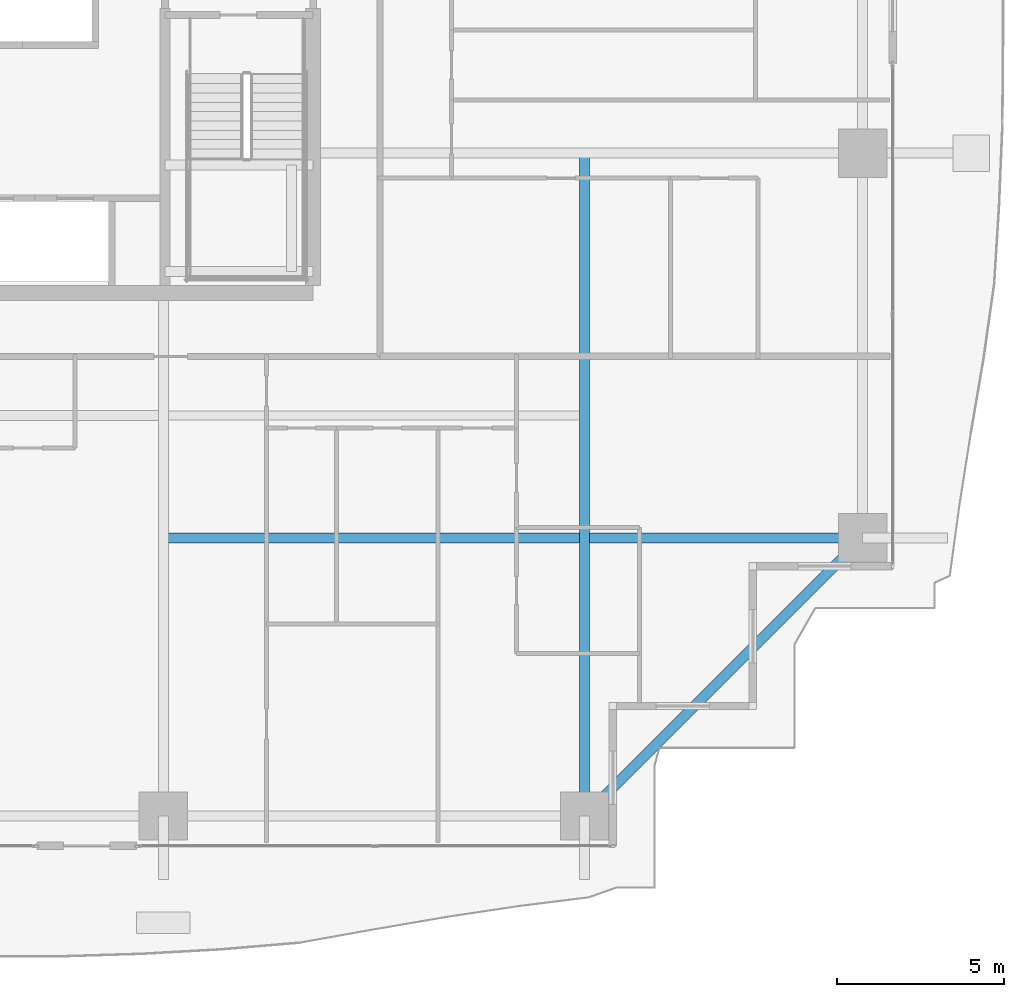
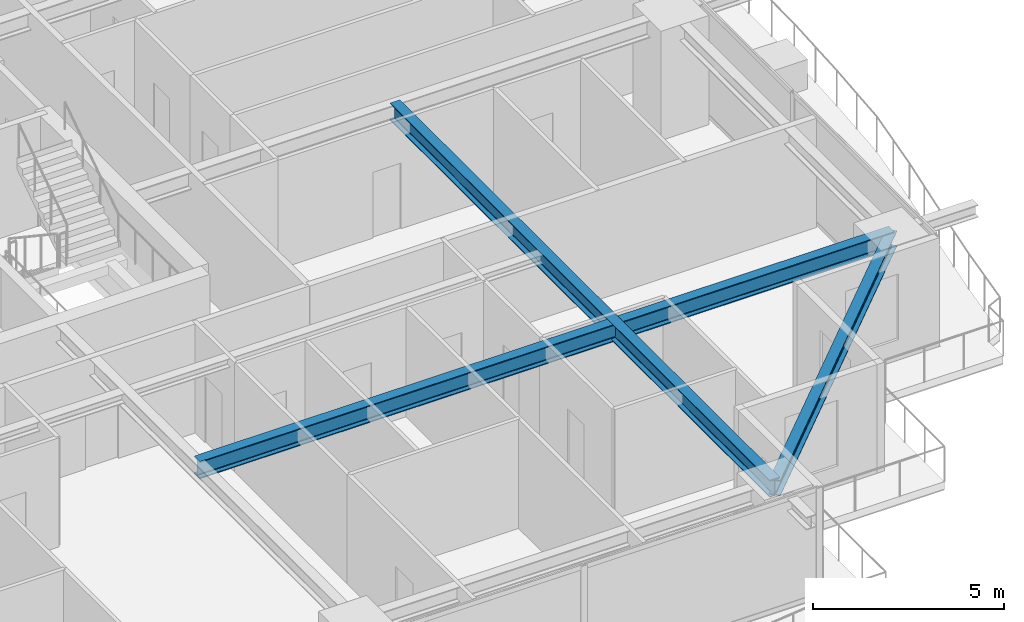
# One storey, part 12 of 39: 3 beams.
"""IFC4 building model written with IfcOpenShell, lengths in metres."""

from ifc_helpers import new_model, si_unit, direction, frame, origin, origin_2d, place, context, subcontext, project, spatial, i_section, extrude, source, transform, mapped, material, material_profile, profile_set, type_object, element, save


model = new_model("IFC4")

# Units and contexts
model_context = context("Model", 3, precision=1e-05, world=origin(), true_north=direction((0.0, 1.0)))
body_context = subcontext(model_context, "Body", "Model", "MODEL_VIEW")
ifc_project = project(units=[si_unit("LENGTHUNIT", "METRE"), si_unit("AREAUNIT", "SQUARE_METRE"), si_unit("VOLUMEUNIT", "CUBIC_METRE"), si_unit("PLANEANGLEUNIT", "RADIAN"), si_unit("MASSUNIT", "GRAM", prefix="KILO")], contexts=[model_context])

# Site, building, storey
site_placement = place(None, origin())
site = spatial("IfcSite", under=ifc_project, at=site_placement, CompositionType="ELEMENT")
building_placement = place(site_placement, origin())
building = spatial("IfcBuilding", under=site, at=building_placement, Name="Serunith Strait Residences", CompositionType="ELEMENT")
storey_placement = place(building_placement, frame((0.0, 0.0, 49.199951171875)))
storey = spatial("IfcBuildingStorey", under=building, at=storey_placement, Name="L11", CompositionType="ELEMENT", Elevation=49.199951171875)

# Beams
ifc_material = material(Name="Steel S355J2", Category="steel")
ifc_material_profile_1 = material_profile(ifc_material, i_section(OverallWidth=0.300048828125, OverallDepth=0.550048828125, WebThickness=0.014892578125, FlangeThickness=0.029052734375, FilletRadius=0.027099609375, at=origin_2d()), Name="HEB 550")
ifc_profile_set_1 = profile_set([ifc_material_profile_1], Name="Steel S355J2")
beam_type_1 = type_object("IfcBeamType", Name="BM-HEB550", PredefinedType="BEAM", material=ifc_profile_set_1)
shared_shape_1 = source(origin(), body_context, "Body", "SweptSolid", [
    extrude(i_section(OverallWidth=0.300048828125, OverallDepth=0.550048828125, WebThickness=0.014892578125, FlangeThickness=0.029052734375, FilletRadius=0.027099609375, at=origin_2d()), origin(), (0.0, 0.0, 1.0), 19.89990234375),
])
beam_1_placement = place(storey_placement, frame((49.550048828125, 21.0, 3.212158203125), z_axis=(0.0, -1.0, 0.0), x_axis=(1.0, 0.0, 0.0)))
element("IfcBeam", 1, at=beam_1_placement, inside=storey, type_object=beam_type_1, Name="L11 Orthogonal Corner Girder TC-S4", PredefinedType="BEAM", context=body_context, shape_type="MappedRepresentation", body=[
    mapped(shared_shape_1, transform((0.0, 0.0, 0.0), scale=1.0)),
])
shared_shape_2 = source(origin(), body_context, "Body", "SweptSolid", [
    extrude(i_section(OverallWidth=0.300048828125, OverallDepth=0.550048828125, WebThickness=0.014892578125, FlangeThickness=0.029052734375, FilletRadius=0.027099609375, at=origin_2d()), origin(), (0.0, 0.0, 1.0), 21.0),
])
beam_2_placement = place(storey_placement, frame((36.89990234375, 9.449951171875, 3.212158203125), z_axis=(1.0, 0.0, 0.0), x_axis=(0.0, 1.0, 0.0)))
element("IfcBeam", 2, at=beam_2_placement, inside=storey, type_object=beam_type_1, Name="L11 Orthogonal Corner Girder TC-E1", PredefinedType="BEAM", context=body_context, shape_type="MappedRepresentation", body=[
    mapped(shared_shape_2, transform((0.0, 0.0, 0.0), scale=1.0)),
])
ifc_material_profile_2 = material_profile(ifc_material, i_section(OverallWidth=0.300048828125, OverallDepth=0.5, WebThickness=0.014404296875, FlangeThickness=0.028076171875, FilletRadius=0.027099609375, at=origin_2d()), Name="HEB 500")
ifc_profile_set_2 = profile_set([ifc_material_profile_2], Name="Steel S355J2")
beam_type_2 = type_object("IfcBeamType", Name="BM-HEB500", PredefinedType="BEAM", material=ifc_profile_set_2)
shared_shape_3 = source(origin(), body_context, "Body", "SweptSolid", [
    extrude(i_section(OverallWidth=0.300048828125, OverallDepth=0.5, WebThickness=0.014404296875, FlangeThickness=0.028076171875, FilletRadius=0.027099609375, at=origin_2d()), origin(), (0.0, 0.0, 1.0), 11.80859375),
])
beam_3_placement = place(storey_placement, frame((49.550048828125, 1.10009765625, 3.20703125), z_axis=(0.707106781187, 0.707106781187, 0.0), x_axis=(-0.707106781187, 0.707106781187, 0.0)))
element("IfcBeam", 3, at=beam_3_placement, inside=storey, type_object=beam_type_2, Name="L11 Perimeter Ring Beam 04", PredefinedType="BEAM", context=body_context, shape_type="MappedRepresentation", body=[
    mapped(shared_shape_3, transform((0.0, 0.0, 0.0), scale=1.0)),
])

save(model, "model.ifc")
